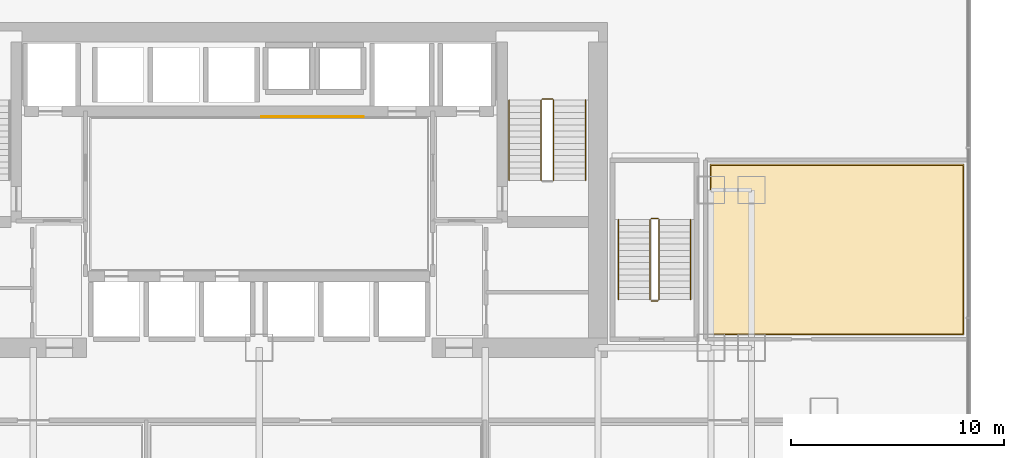
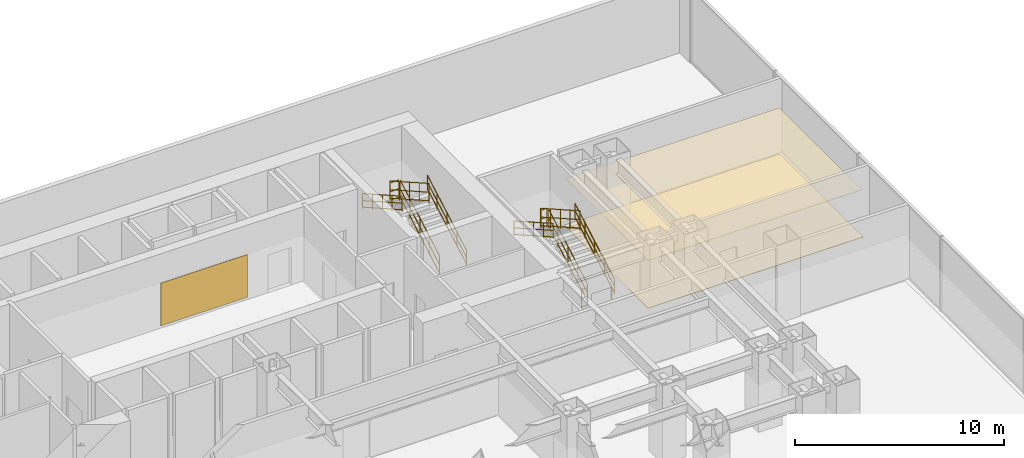
# One storey, part 13 of 13: 11 railings, 3 coverings.
"""IFC4 building model written with IfcOpenShell, lengths in metres."""

import ifcopenshell
import ifcopenshell.guid

model = None  # the IFC model being written
_history = None  # IfcOwnerHistory: only IFC2X3 demands one
_inside = {}  # id of a spatial element -> (the spatial element, [elements in it])
_under = {}  # id of a project, library or spatial element -> (it, [spatial elements below it])
_declared = {}  # id of a project -> (the project, [libraries it declares])
_typed = {}  # id of a type object -> (the type object, [elements of that type])
_made_of = {}  # id of a material, layer set ... -> (it, [elements and type objects made of it])


def new_model(schema):
    """Start an empty IFC model of exactly this schema.

    Asked for "IFC4X3", IfcOpenShell would pick the latest addendum, in which some entities
    have other attributes; the version numbers below select the first issue.
    IFC2X3 requires an IfcOwnerHistory on every rooted entity: one is made here for all.
    """
    global model, _history
    if schema == "IFC4X3":
        model = ifcopenshell.file(schema_version=(4, 3, 0, 0))
    else:
        model = ifcopenshell.file(schema=schema)
    _inside.clear()
    _under.clear()
    _declared.clear()
    _typed.clear()
    _made_of.clear()
    _history = None
    if model.schema == "IFC2X3":
        org = make("IfcOrganization", Name="unknown")
        user = make(
            "IfcPersonAndOrganization",
            ThePerson=make("IfcPerson", FamilyName="unknown"),
            TheOrganization=org,
        )
        app = make(
            "IfcApplication",
            ApplicationDeveloper=org,
            Version="unknown",
            ApplicationFullName="unknown",
            ApplicationIdentifier="unknown",
        )
        _history = make(
            "IfcOwnerHistory",
            OwningUser=user,
            OwningApplication=app,
            ChangeAction="ADDED",
            CreationDate=0,
        )
    return model


def make(cls, **values):
    """One entity of the class cls with the attributes given. An attribute that is None is left unset."""
    return model.create_entity(
        cls, **{name: value for name, value in values.items() if value is not None}
    )


def rooted(cls, **values):
    """An entity with a GlobalId (a new one), such as an element, a storey or a relation."""
    return make(cls, GlobalId=ifcopenshell.guid.new(), OwnerHistory=_history, **values)


def si_unit(unit_type, name, prefix=None):
    """IfcSIUnit, for example si_unit("LENGTHUNIT", "METRE", prefix="MILLI")."""
    return make("IfcSIUnit", UnitType=unit_type, Prefix=prefix, Name=name)


def assignment(units):
    """IfcUnitAssignment: the units of a project."""
    return None if units is None else make("IfcUnitAssignment", Units=units)


def point(xyz):
    """IfcCartesianPoint."""
    return None if xyz is None else make("IfcCartesianPoint", Coordinates=xyz)


def direction(xyz):
    """IfcDirection."""
    return None if xyz is None else make("IfcDirection", DirectionRatios=xyz)


def frame(location, z_axis=None, x_axis=None):
    """IfcAxis2Placement3D, a coordinate frame: its origin and axes. An axis left out is left unset."""
    return make(
        "IfcAxis2Placement3D",
        Location=point(location),
        Axis=direction(z_axis),
        RefDirection=direction(x_axis),
    )


def frame_2d(location, x_axis=None):
    """IfcAxis2Placement2D, a coordinate frame in the plane: its origin and x axis."""
    return make(
        "IfcAxis2Placement2D", Location=point(location), RefDirection=direction(x_axis)
    )


def origin():
    """The frame at (0, 0, 0) with its axes left unset."""
    return frame((0.0, 0.0, 0.0))


def origin_2d():
    """The frame at (0, 0) in the plane with its x axis left unset."""
    return frame_2d((0.0, 0.0))


def place(relative_to, where):
    """IfcLocalPlacement: puts the frame where relative to a parent placement (None: the world)."""
    return make(
        "IfcLocalPlacement", PlacementRelTo=relative_to, RelativePlacement=where
    )


def context(
    kind, dimensions, precision=None, world=None, true_north=None, identifier=None
):
    """IfcGeometricRepresentationContext, for example the 3D "Model" context."""
    return make(
        "IfcGeometricRepresentationContext",
        ContextIdentifier=identifier,
        ContextType=kind,
        CoordinateSpaceDimension=dimensions,
        Precision=precision,
        WorldCoordinateSystem=world,
        TrueNorth=true_north,
    )


def subcontext(parent, identifier, kind, view, scale=None):
    """IfcGeometricRepresentationSubContext, for example "Body" below "Model"."""
    return make(
        "IfcGeometricRepresentationSubContext",
        ContextIdentifier=identifier,
        ContextType=kind,
        ParentContext=parent,
        TargetScale=scale,
        TargetView=view,
    )


def project(units=None, contexts=None):
    """IfcProject with its units and contexts."""
    return rooted(
        "IfcProject",
        Name="project",
        RepresentationContexts=contexts,
        UnitsInContext=assignment(units),
    )


def spatial(cls, under=None, at=None, **own):
    """A site, building, storey or space (cls), placed at a placement, below another one or the project."""
    s = rooted(cls, ObjectPlacement=at, **own)
    if under is not None:
        _under.setdefault(under.id(), (under, []))[1].append(s)
    return s


def polyline(points):
    """IfcPolyline through the points."""
    return make("IfcPolyline", Points=[point(p) for p in points])


def profile(cls, at=None, kind="AREA", **sizes):
    """A parametric profile (cls). Its sizes go by their IFC names, for example OverallWidth=200.0."""
    return make(cls, ProfileType=kind, Position=at, **sizes)


def circle(**sizes):
    """IfcCircleProfileDef."""
    return profile("IfcCircleProfileDef", **sizes)


def outline(outer, holes=None, kind="AREA"):
    """IfcArbitraryClosedProfileDef: a profile drawn as a closed curve; with holes, ...WithVoids."""
    if holes is None:
        return make("IfcArbitraryClosedProfileDef", ProfileType=kind, OuterCurve=outer)
    return make(
        "IfcArbitraryProfileDefWithVoids",
        ProfileType=kind,
        OuterCurve=outer,
        InnerCurves=holes,
    )


def extrude(swept, where, along, depth):
    """IfcExtrudedAreaSolid: the profile swept, set in the frame where, extruded along a direction by depth."""
    return make(
        "IfcExtrudedAreaSolid",
        SweptArea=swept,
        Position=where,
        ExtrudedDirection=direction(along),
        Depth=depth,
    )


def shape(context_of_items, identifier, shape_type, items):
    """IfcShapeRepresentation: the items that make up one representation, for example the "Body"."""
    return make(
        "IfcShapeRepresentation",
        ContextOfItems=context_of_items,
        RepresentationIdentifier=identifier,
        RepresentationType=shape_type,
        Items=items,
    )


def material(Name=None, Category=None):
    """IfcMaterial."""
    return make("IfcMaterial", Name=Name, Category=Category)


def layer(
    of_material, thickness, ventilated=None, Name=None, Category=None, Priority=None
):
    """IfcMaterialLayer: one layer of a wall or slab, of a material (None: an air gap)."""
    return make(
        "IfcMaterialLayer",
        Material=of_material,
        LayerThickness=thickness,
        IsVentilated=ventilated,
        Name=Name,
        Category=Category,
        Priority=Priority,
    )


def layer_set(layers, Name=None):
    """IfcMaterialLayerSet."""
    return make("IfcMaterialLayerSet", MaterialLayers=layers, LayerSetName=Name)


def made_of(thing, what):
    """Note that an element or type object is made of a material, layer set ...; save() writes the relation."""
    if what is not None:
        _made_of.setdefault(what.id(), (what, []))[1].append(thing)
    return thing


def type_object(cls, material=None, **own):
    """A type object (cls), such as IfcWallType, which elements share."""
    return made_of(rooted(cls, **own), material)


def element(
    cls,
    number,
    at=None,
    inside=None,
    cuts=None,
    type_object=None,
    material=None,
    context=None,
    identifier="Body",
    shape_type=None,
    held_by="IfcProductDefinitionShape",
    body=None,
    shapes=None,
    **own,
):
    """One element of the class cls, such as IfcWall. Its Tag is "e" and its number.

    at: its placement. inside: the storey or other place that contains it. cuts: it is an
    opening in that element (IfcRelVoidsElement). A single representation is given by context,
    identifier, shape_type and body (its items); several are given by shapes. held_by: the class
    of the entity that holds the representations. save() writes the other relations.
    """
    e = rooted(cls, Tag="e%d" % number, ObjectPlacement=at, **own)
    if body is not None:
        shapes = [shape(context, identifier, shape_type, body)]
    if shapes is not None:
        e.Representation = make(held_by, Representations=shapes)
    if inside is not None:
        _inside.setdefault(inside.id(), (inside, []))[1].append(e)
    if cuts is not None:
        rooted(
            "IfcRelVoidsElement", RelatingBuildingElement=cuts, RelatedOpeningElement=e
        )
    if type_object is not None:
        _typed.setdefault(type_object.id(), (type_object, []))[1].append(e)
    return made_of(e, material)


def aggregate(whole, parts):
    """IfcRelAggregates: a whole, such as a stair, and the parts it consists of."""
    return rooted("IfcRelAggregates", RelatingObject=whole, RelatedObjects=parts)


def save(model, path):
    """Write the relations noted so far, then the file.

    IfcRelAggregates (storeys below a building ...), IfcRelContainedInSpatialStructure (elements
    in a storey), IfcRelDefinesByType, IfcRelAssociatesMaterial and IfcRelDeclares: one each for
    every whole, place, type object, material and project.
    """
    for whole, parts in _under.values():
        aggregate(whole, parts)
    for where, things in _inside.values():
        rooted(
            "IfcRelContainedInSpatialStructure",
            RelatedElements=things,
            RelatingStructure=where,
        )
    for kind, things in _typed.values():
        rooted("IfcRelDefinesByType", RelatedObjects=things, RelatingType=kind)
    for what, things in _made_of.values():
        rooted("IfcRelAssociatesMaterial", RelatedObjects=things, RelatingMaterial=what)
    for by, libraries in _declared.values():
        rooted("IfcRelDeclares", RelatingContext=by, RelatedDefinitions=libraries)
    model.write(path)


model = new_model("IFC4")

# Units and contexts
model_context = context("Model", 3, precision=1e-05, world=origin(), true_north=direction((0.0, 1.0)))
body_context = subcontext(model_context, "Body", "Model", "MODEL_VIEW")
ifc_project = project(units=[si_unit("LENGTHUNIT", "METRE"), si_unit("AREAUNIT", "SQUARE_METRE"), si_unit("VOLUMEUNIT", "CUBIC_METRE"), si_unit("PLANEANGLEUNIT", "RADIAN"), si_unit("MASSUNIT", "GRAM", prefix="KILO")], contexts=[model_context])

# Site, building, storey
site_placement = place(None, origin())
site = spatial("IfcSite", under=ifc_project, at=site_placement, CompositionType="ELEMENT")
building_placement = place(site_placement, origin())
building = spatial("IfcBuilding", under=site, at=building_placement, Name="Qianlan Lanfeng Residences", CompositionType="ELEMENT")
storey_placement = place(building_placement, frame((0.0, 0.0, 9.800048828125)))
storey = spatial("IfcBuildingStorey", under=building, at=storey_placement, Name="L02", CompositionType="ELEMENT", Elevation=9.800048828125)

# Coverings
ifc_material_1 = material(Name="Anodised Bronze Feature Wall Cladding")
ifc_layer_1 = layer(ifc_material_1, 0.02490234375)
ifc_layer_set_1 = layer_set([ifc_layer_1], Name="Anodised Bronze Feature Wall Cladding")
covering_type_1 = type_object("IfcCoveringType", Name="CLD-BRZ-25", PredefinedType="CLADDING", material=ifc_layer_set_1)
covering_1_placement = place(storey_placement, frame((0.0, 0.0, 0.14990234375)))
element("IfcCovering", 1, at=covering_1_placement, inside=storey, type_object=covering_type_1, Name="L02 Lift Lobby Bronze Feature Cladding", PredefinedType="CLADDING", context=body_context, shape_type="SweptSolid", body=[
    extrude(outline(polyline([(26.60009765625, 36.02490234375), (31.39990234375, 36.02490234375), (31.39990234375, 36.050048828125), (26.60009765625, 36.050048828125), (26.60009765625, 36.02490234375)])), origin(), (0.0, 0.0, 1.0), 2.5),
])
ifc_material_2 = material(Name="Acoustic Perforated Gypsum Ceiling Board")
ifc_layer_2 = layer(ifc_material_2, 0.02001953125)
ifc_layer_set_2 = layer_set([ifc_layer_2], Name="Acoustic Perforated Gypsum Ceiling Board")
covering_type_2 = type_object("IfcCoveringType", Name="CLG-GYP-15", PredefinedType="CEILING", material=ifc_layer_set_2)
covering_2_placement = place(storey_placement, frame((0.0, 0.0, 2.75)))
element("IfcCovering", 2, at=covering_2_placement, inside=storey, type_object=covering_type_2, Name="L02 Parent Lounge Suspended Ceiling", PredefinedType="CEILING", context=body_context, shape_type="SweptSolid", body=[
    extrude(outline(polyline([(47.699951171875, 25.840087890625), (59.530029296875, 25.840087890625), (59.530029296875, 33.760009765625), (47.699951171875, 33.760009765625), (47.699951171875, 25.840087890625)])), origin(), (0.0, 0.0, 1.0), 0.02001953125),
])
ifc_material_3 = material(Name="Engineered Smoked Oak Timber Flooring", Category="wood")
ifc_layer_3 = layer(ifc_material_3, 0.02197265625)
ifc_layer_set_3 = layer_set([ifc_layer_3], Name="Engineered Smoked Oak Timber Flooring")
covering_type_3 = type_object("IfcCoveringType", Name="FLR-TIM-22", PredefinedType="FLOORING", material=ifc_layer_set_3)
covering_3_placement = place(storey_placement, origin())
element("IfcCovering", 3, at=covering_3_placement, inside=storey, type_object=covering_type_3, Name="L02 Parent Lounge Floor Finish", PredefinedType="FLOORING", context=body_context, shape_type="SweptSolid", body=[
    extrude(outline(polyline([(47.64990234375, 25.7900390625), (59.580078125, 25.7900390625), (59.580078125, 33.81005859375), (47.64990234375, 33.81005859375), (47.64990234375, 25.7900390625)])), origin(), (0.0, 0.0, 1.0), 0.02197265625),
])

# Railings
ifc_material_4 = material(Name="Painted Galvanised Steel Guardrail", Category="steel")
railing_type_1 = type_object("IfcRailingType", Name="GR-ST-1120", PredefinedType="GUARDRAIL", material=ifc_material_4)
railing_1_placement = place(storey_placement, frame((40.31005859375, 33.050048828125, 0.164306640625)))
element("IfcRailing", 4, at=railing_1_placement, inside=storey, type_object=railing_type_1, Name="L02 ST-2 stair guard 1", PredefinedType="GUARDRAIL", context=body_context, shape_type="SweptSolid", body=[
    extrude(circle(Radius=0.02392578125, at=origin_2d()), frame((0.0, 0.0, 0.083984375), z_axis=(0.0, 0.870081794457, 0.492907365491), x_axis=(-1.0, 0.0, 0.0)), (0.0, 0.0, 1.0), 4.3330078125),
    extrude(circle(Radius=0.02392578125, at=origin_2d()), frame((0.0, 0.0, 0.58251953125), z_axis=(0.0, 0.870081794457, 0.492907365491), x_axis=(-1.0, 0.0, 0.0)), (0.0, 0.0, 1.0), 4.3330078125),
    extrude(circle(Radius=0.02392578125, at=origin_2d()), frame((0.0, 0.0, 1.09619140625), z_axis=(0.0, 0.870081794457, 0.492907365491), x_axis=(-1.0, 0.0, 0.0)), (0.0, 0.0, 1.0), 4.3330078125),
    extrude(circle(Radius=0.02099609375, at=origin_2d()), origin(), (0.0, 0.0, 1.0), 1.072021484375),
    extrude(circle(Radius=0.02099609375, at=origin_2d()), frame((0.0, 0.9423828125, 0.533935546875)), (0.0, 0.0, 1.0), 1.072021484375),
    extrude(circle(Radius=0.02099609375, at=origin_2d()), frame((0.0, 1.885009765625, 1.06787109375)), (0.0, 0.0, 1.0), 1.072021484375),
    extrude(circle(Radius=0.02099609375, at=origin_2d()), frame((0.0, 2.82763671875, 1.601806640625)), (0.0, 0.0, 1.0), 1.072021484375),
    extrude(circle(Radius=0.02099609375, at=origin_2d()), frame((0.0, 3.77001953125, 2.1357421875)), (0.0, 0.0, 1.0), 1.072021484375),
])
railing_2_placement = place(storey_placement, frame((40.260009765625, 36.8701171875, 2.300048828125)))
element("IfcRailing", 5, at=railing_2_placement, inside=storey, type_object=railing_type_1, Name="L02 ST-2 stair guard 2", PredefinedType="GUARDRAIL", context=body_context, shape_type="SweptSolid", body=[
    extrude(circle(Radius=0.02392578125, at=origin_2d()), frame((0.0, 0.0, 0.083984375), z_axis=(-1.0, 0.0, 0.0), x_axis=(0.0, -1.0, 0.0)), (0.0, 0.0, 1.0), 0.47998046875),
    extrude(circle(Radius=0.02392578125, at=origin_2d()), frame((0.0, 0.0, 0.58251953125), z_axis=(-1.0, 0.0, 0.0), x_axis=(0.0, -1.0, 0.0)), (0.0, 0.0, 1.0), 0.47998046875),
    extrude(circle(Radius=0.02392578125, at=origin_2d()), frame((0.0, 0.0, 1.09619140625), z_axis=(-1.0, 0.0, 0.0), x_axis=(0.0, -1.0, 0.0)), (0.0, 0.0, 1.0), 0.47998046875),
    extrude(circle(Radius=0.02099609375, at=origin_2d()), origin(), (0.0, 0.0, 1.0), 1.072021484375),
    extrude(circle(Radius=0.02099609375, at=origin_2d()), frame((-0.47998046875, 0.0, 0.0)), (0.0, 0.0, 1.0), 1.072021484375),
])
railing_3_placement = place(storey_placement, frame((39.72998046875, 36.820068359375, 2.46435546875)))
element("IfcRailing", 6, at=railing_3_placement, inside=storey, type_object=railing_type_1, Name="L02 ST-2 stair guard 3", PredefinedType="GUARDRAIL", context=body_context, shape_type="SweptSolid", body=[
    extrude(circle(Radius=0.02392578125, at=origin_2d()), frame((0.0, 0.0, 0.083984375), z_axis=(0.0, -0.870105958811, 0.492864708051), x_axis=(1.0, 0.0, 0.0)), (0.0, 0.0, 1.0), 4.332763671875),
    extrude(circle(Radius=0.02392578125, at=origin_2d()), frame((0.0, 0.0, 0.58251953125), z_axis=(0.0, -0.870105958811, 0.492864708051), x_axis=(1.0, 0.0, 0.0)), (0.0, 0.0, 1.0), 4.332763671875),
    extrude(circle(Radius=0.02392578125, at=origin_2d()), frame((0.0, 0.0, 1.09619140625), z_axis=(0.0, -0.870105958811, 0.492864708051), x_axis=(1.0, 0.0, 0.0)), (0.0, 0.0, 1.0), 4.332763671875),
    extrude(circle(Radius=0.02099609375, at=origin_2d()), origin(), (0.0, 0.0, 1.0), 1.072021484375),
    extrude(circle(Radius=0.02099609375, at=origin_2d()), frame((0.0, -0.9423828125, 0.533935546875)), (0.0, 0.0, 1.0), 1.072021484375),
    extrude(circle(Radius=0.02099609375, at=origin_2d()), frame((0.0, -1.885009765625, 1.06787109375)), (0.0, 0.0, 1.0), 1.072021484375),
    extrude(circle(Radius=0.02099609375, at=origin_2d()), frame((0.0, -2.82763671875, 1.6015625)), (0.0, 0.0, 1.0), 1.072021484375),
    extrude(circle(Radius=0.02099609375, at=origin_2d()), frame((0.0, -3.77001953125, 2.135498046875)), (0.0, 0.0, 1.0), 1.072021484375),
])
railing_4_placement = place(storey_placement, frame((45.27001953125, 27.449951171875, 0.164306640625)))
element("IfcRailing", 7, at=railing_4_placement, inside=storey, type_object=railing_type_1, Name="L02 ST-P1 stair guard 1", PredefinedType="GUARDRAIL", context=body_context, shape_type="SweptSolid", body=[
    extrude(circle(Radius=0.02392578125, at=origin_2d()), frame((0.0, 0.0, 0.083984375), z_axis=(0.0, 0.870081794457, 0.492907365491), x_axis=(-1.0, 0.0, 0.0)), (0.0, 0.0, 1.0), 4.3330078125),
    extrude(circle(Radius=0.02392578125, at=origin_2d()), frame((0.0, 0.0, 0.58251953125), z_axis=(0.0, 0.870081794457, 0.492907365491), x_axis=(-1.0, 0.0, 0.0)), (0.0, 0.0, 1.0), 4.3330078125),
    extrude(circle(Radius=0.02392578125, at=origin_2d()), frame((0.0, 0.0, 1.09619140625), z_axis=(0.0, 0.870081794457, 0.492907365491), x_axis=(-1.0, 0.0, 0.0)), (0.0, 0.0, 1.0), 4.3330078125),
    extrude(circle(Radius=0.02099609375, at=origin_2d()), origin(), (0.0, 0.0, 1.0), 1.072021484375),
    extrude(circle(Radius=0.02099609375, at=origin_2d()), frame((0.0, 0.9423828125, 0.533935546875)), (0.0, 0.0, 1.0), 1.072021484375),
    extrude(circle(Radius=0.02099609375, at=origin_2d()), frame((0.0, 1.885009765625, 1.06787109375)), (0.0, 0.0, 1.0), 1.072021484375),
    extrude(circle(Radius=0.02099609375, at=origin_2d()), frame((0.0, 2.82763671875, 1.601806640625)), (0.0, 0.0, 1.0), 1.072021484375),
    extrude(circle(Radius=0.02099609375, at=origin_2d()), frame((0.0, 3.77001953125, 2.1357421875)), (0.0, 0.0, 1.0), 1.072021484375),
])
railing_5_placement = place(storey_placement, frame((45.219970703125, 31.27001953125, 2.300048828125)))
element("IfcRailing", 8, at=railing_5_placement, inside=storey, type_object=railing_type_1, Name="L02 ST-P1 stair guard 2", PredefinedType="GUARDRAIL", context=body_context, shape_type="SweptSolid", body=[
    extrude(circle(Radius=0.02392578125, at=origin_2d()), frame((0.0, 0.0, 0.083984375), z_axis=(-1.0, 0.0, 0.0), x_axis=(0.0, -1.0, 0.0)), (0.0, 0.0, 1.0), 0.320068359375),
    extrude(circle(Radius=0.02392578125, at=origin_2d()), frame((0.0, 0.0, 0.58251953125), z_axis=(-1.0, 0.0, 0.0), x_axis=(0.0, -1.0, 0.0)), (0.0, 0.0, 1.0), 0.320068359375),
    extrude(circle(Radius=0.02392578125, at=origin_2d()), frame((0.0, 0.0, 1.09619140625), z_axis=(-1.0, 0.0, 0.0), x_axis=(0.0, -1.0, 0.0)), (0.0, 0.0, 1.0), 0.320068359375),
    extrude(circle(Radius=0.02099609375, at=origin_2d()), origin(), (0.0, 0.0, 1.0), 1.072021484375),
    extrude(circle(Radius=0.02099609375, at=origin_2d()), frame((-0.320068359375, 0.0, 0.0)), (0.0, 0.0, 1.0), 1.072021484375),
])
railing_6_placement = place(storey_placement, frame((44.85009765625, 31.219970703125, 2.46435546875)))
element("IfcRailing", 9, at=railing_6_placement, inside=storey, type_object=railing_type_1, Name="L02 ST-P1 stair guard 3", PredefinedType="GUARDRAIL", context=body_context, shape_type="SweptSolid", body=[
    extrude(circle(Radius=0.02392578125, at=origin_2d()), frame((0.0, 0.0, 0.083984375), z_axis=(0.0, -0.870105958811, 0.492864708051), x_axis=(1.0, 0.0, 0.0)), (0.0, 0.0, 1.0), 4.332763671875),
    extrude(circle(Radius=0.02392578125, at=origin_2d()), frame((0.0, 0.0, 0.58251953125), z_axis=(0.0, -0.870105958811, 0.492864708051), x_axis=(1.0, 0.0, 0.0)), (0.0, 0.0, 1.0), 4.332763671875),
    extrude(circle(Radius=0.02392578125, at=origin_2d()), frame((0.0, 0.0, 1.09619140625), z_axis=(0.0, -0.870105958811, 0.492864708051), x_axis=(1.0, 0.0, 0.0)), (0.0, 0.0, 1.0), 4.332763671875),
    extrude(circle(Radius=0.02099609375, at=origin_2d()), origin(), (0.0, 0.0, 1.0), 1.072021484375),
    extrude(circle(Radius=0.02099609375, at=origin_2d()), frame((0.0, -0.9423828125, 0.533935546875)), (0.0, 0.0, 1.0), 1.072021484375),
    extrude(circle(Radius=0.02099609375, at=origin_2d()), frame((0.0, -1.885009765625, 1.06787109375)), (0.0, 0.0, 1.0), 1.072021484375),
    extrude(circle(Radius=0.02099609375, at=origin_2d()), frame((0.0, -2.82763671875, 1.6015625)), (0.0, 0.0, 1.0), 1.072021484375),
    extrude(circle(Radius=0.02099609375, at=origin_2d()), frame((0.0, -3.77001953125, 2.135498046875)), (0.0, 0.0, 1.0), 1.072021484375),
])
railing_7_placement = place(storey_placement, frame((45.219970703125, 27.39990234375, 0.0)))
element("IfcRailing", 10, at=railing_7_placement, inside=storey, type_object=railing_type_1, Name="L02 ST-P1 stair guard 4", PredefinedType="GUARDRAIL", context=body_context, shape_type="SweptSolid", body=[
    extrude(circle(Radius=0.02392578125, at=origin_2d()), frame((0.0, 0.0, 0.083984375), z_axis=(-1.0, 0.0, 0.0), x_axis=(0.0, -1.0, 0.0)), (0.0, 0.0, 1.0), 0.320068359375),
    extrude(circle(Radius=0.02392578125, at=origin_2d()), frame((0.0, 0.0, 0.58251953125), z_axis=(-1.0, 0.0, 0.0), x_axis=(0.0, -1.0, 0.0)), (0.0, 0.0, 1.0), 0.320068359375),
    extrude(circle(Radius=0.02392578125, at=origin_2d()), frame((0.0, 0.0, 1.09619140625), z_axis=(-1.0, 0.0, 0.0), x_axis=(0.0, -1.0, 0.0)), (0.0, 0.0, 1.0), 0.320068359375),
    extrude(circle(Radius=0.02099609375, at=origin_2d()), origin(), (0.0, 0.0, 1.0), 1.072021484375),
    extrude(circle(Radius=0.02099609375, at=origin_2d()), frame((-0.320068359375, 0.0, 0.0)), (0.0, 0.0, 1.0), 1.072021484375),
])
ifc_material_5 = material(Name="Brushed Stainless Steel Handrail", Category="steel")
railing_type_2 = type_object("IfcRailingType", Name="HR-ST-920", PredefinedType="HANDRAIL", material=ifc_material_5)
railing_8_placement = place(storey_placement, frame((41.81005859375, 33.050048828125, 0.164306640625)))
element("IfcRailing", 11, at=railing_8_placement, inside=storey, type_object=railing_type_2, Name="L02 ST-2 stair handrail 1", PredefinedType="HANDRAIL", context=body_context, shape_type="SweptSolid", body=[
    extrude(circle(Radius=0.02392578125, at=origin_2d()), frame((0.0, 0.0, 0.083984375), z_axis=(0.0, 0.870081794457, 0.492907365491), x_axis=(-1.0, 0.0, 0.0)), (0.0, 0.0, 1.0), 4.3330078125),
    extrude(circle(Radius=0.02392578125, at=origin_2d()), frame((0.0, 0.0, 0.468017578125), z_axis=(0.0, 0.870081794457, 0.492907365491), x_axis=(-1.0, 0.0, 0.0)), (0.0, 0.0, 1.0), 4.3330078125),
    extrude(circle(Radius=0.02392578125, at=origin_2d()), frame((0.0, 0.0, 0.8759765625), z_axis=(0.0, 0.870081794457, 0.492907365491), x_axis=(-1.0, 0.0, 0.0)), (0.0, 0.0, 1.0), 4.3330078125),
    extrude(circle(Radius=0.02099609375, at=origin_2d()), origin(), (0.0, 0.0, 1.0), 0.851806640625),
    extrude(circle(Radius=0.02099609375, at=origin_2d()), frame((0.0, 0.9423828125, 0.533935546875)), (0.0, 0.0, 1.0), 0.851806640625),
    extrude(circle(Radius=0.02099609375, at=origin_2d()), frame((0.0, 1.885009765625, 1.06787109375)), (0.0, 0.0, 1.0), 0.851806640625),
    extrude(circle(Radius=0.02099609375, at=origin_2d()), frame((0.0, 2.82763671875, 1.601806640625)), (0.0, 0.0, 1.0), 0.851806640625),
    extrude(circle(Radius=0.02099609375, at=origin_2d()), frame((0.0, 3.77001953125, 2.1357421875)), (0.0, 0.0, 1.0), 0.851806640625),
])
railing_9_placement = place(storey_placement, frame((38.22998046875, 36.820068359375, 2.46435546875)))
element("IfcRailing", 12, at=railing_9_placement, inside=storey, type_object=railing_type_2, Name="L02 ST-2 stair handrail 2", PredefinedType="HANDRAIL", context=body_context, shape_type="SweptSolid", body=[
    extrude(circle(Radius=0.02392578125, at=origin_2d()), frame((0.0, 0.0, 0.083984375), z_axis=(0.0, -0.870105958811, 0.492864708051), x_axis=(1.0, 0.0, 0.0)), (0.0, 0.0, 1.0), 4.332763671875),
    extrude(circle(Radius=0.02392578125, at=origin_2d()), frame((0.0, 0.0, 0.468017578125), z_axis=(0.0, -0.870105958811, 0.492864708051), x_axis=(1.0, 0.0, 0.0)), (0.0, 0.0, 1.0), 4.332763671875),
    extrude(circle(Radius=0.02392578125, at=origin_2d()), frame((0.0, 0.0, 0.8759765625), z_axis=(0.0, -0.870105958811, 0.492864708051), x_axis=(1.0, 0.0, 0.0)), (0.0, 0.0, 1.0), 4.332763671875),
    extrude(circle(Radius=0.02099609375, at=origin_2d()), origin(), (0.0, 0.0, 1.0), 0.851806640625),
    extrude(circle(Radius=0.02099609375, at=origin_2d()), frame((0.0, -0.9423828125, 0.533935546875)), (0.0, 0.0, 1.0), 0.851806640625),
    extrude(circle(Radius=0.02099609375, at=origin_2d()), frame((0.0, -1.885009765625, 1.06787109375)), (0.0, 0.0, 1.0), 0.851806640625),
    extrude(circle(Radius=0.02099609375, at=origin_2d()), frame((0.0, -2.82763671875, 1.6015625)), (0.0, 0.0, 1.0), 0.851806640625),
    extrude(circle(Radius=0.02099609375, at=origin_2d()), frame((0.0, -3.77001953125, 2.135498046875)), (0.0, 0.0, 1.0), 0.851806640625),
])
railing_10_placement = place(storey_placement, frame((46.75, 27.449951171875, 0.164306640625)))
element("IfcRailing", 13, at=railing_10_placement, inside=storey, type_object=railing_type_2, Name="L02 ST-P1 stair handrail 1", PredefinedType="HANDRAIL", context=body_context, shape_type="SweptSolid", body=[
    extrude(circle(Radius=0.02392578125, at=origin_2d()), frame((0.0, 0.0, 0.083984375), z_axis=(0.0, 0.870081794457, 0.492907365491), x_axis=(-1.0, 0.0, 0.0)), (0.0, 0.0, 1.0), 4.3330078125),
    extrude(circle(Radius=0.02392578125, at=origin_2d()), frame((0.0, 0.0, 0.468017578125), z_axis=(0.0, 0.870081794457, 0.492907365491), x_axis=(-1.0, 0.0, 0.0)), (0.0, 0.0, 1.0), 4.3330078125),
    extrude(circle(Radius=0.02392578125, at=origin_2d()), frame((0.0, 0.0, 0.8759765625), z_axis=(0.0, 0.870081794457, 0.492907365491), x_axis=(-1.0, 0.0, 0.0)), (0.0, 0.0, 1.0), 4.3330078125),
    extrude(circle(Radius=0.02099609375, at=origin_2d()), origin(), (0.0, 0.0, 1.0), 0.851806640625),
    extrude(circle(Radius=0.02099609375, at=origin_2d()), frame((0.0, 0.9423828125, 0.533935546875)), (0.0, 0.0, 1.0), 0.851806640625),
    extrude(circle(Radius=0.02099609375, at=origin_2d()), frame((0.0, 1.885009765625, 1.06787109375)), (0.0, 0.0, 1.0), 0.851806640625),
    extrude(circle(Radius=0.02099609375, at=origin_2d()), frame((0.0, 2.82763671875, 1.601806640625)), (0.0, 0.0, 1.0), 0.851806640625),
    extrude(circle(Radius=0.02099609375, at=origin_2d()), frame((0.0, 3.77001953125, 2.1357421875)), (0.0, 0.0, 1.0), 0.851806640625),
])
railing_11_placement = place(storey_placement, frame((43.3701171875, 31.219970703125, 2.46435546875)))
element("IfcRailing", 14, at=railing_11_placement, inside=storey, type_object=railing_type_2, Name="L02 ST-P1 stair handrail 2", PredefinedType="HANDRAIL", context=body_context, shape_type="SweptSolid", body=[
    extrude(circle(Radius=0.02392578125, at=origin_2d()), frame((0.0, 0.0, 0.083984375), z_axis=(0.0, -0.870105958811, 0.492864708051), x_axis=(1.0, 0.0, 0.0)), (0.0, 0.0, 1.0), 4.332763671875),
    extrude(circle(Radius=0.02392578125, at=origin_2d()), frame((0.0, 0.0, 0.468017578125), z_axis=(0.0, -0.870105958811, 0.492864708051), x_axis=(1.0, 0.0, 0.0)), (0.0, 0.0, 1.0), 4.332763671875),
    extrude(circle(Radius=0.02392578125, at=origin_2d()), frame((0.0, 0.0, 0.8759765625), z_axis=(0.0, -0.870105958811, 0.492864708051), x_axis=(1.0, 0.0, 0.0)), (0.0, 0.0, 1.0), 4.332763671875),
    extrude(circle(Radius=0.02099609375, at=origin_2d()), origin(), (0.0, 0.0, 1.0), 0.851806640625),
    extrude(circle(Radius=0.02099609375, at=origin_2d()), frame((0.0, -0.9423828125, 0.533935546875)), (0.0, 0.0, 1.0), 0.851806640625),
    extrude(circle(Radius=0.02099609375, at=origin_2d()), frame((0.0, -1.885009765625, 1.06787109375)), (0.0, 0.0, 1.0), 0.851806640625),
    extrude(circle(Radius=0.02099609375, at=origin_2d()), frame((0.0, -2.82763671875, 1.6015625)), (0.0, 0.0, 1.0), 0.851806640625),
    extrude(circle(Radius=0.02099609375, at=origin_2d()), frame((0.0, -3.77001953125, 2.135498046875)), (0.0, 0.0, 1.0), 0.851806640625),
])

save(model, "model.ifc")
